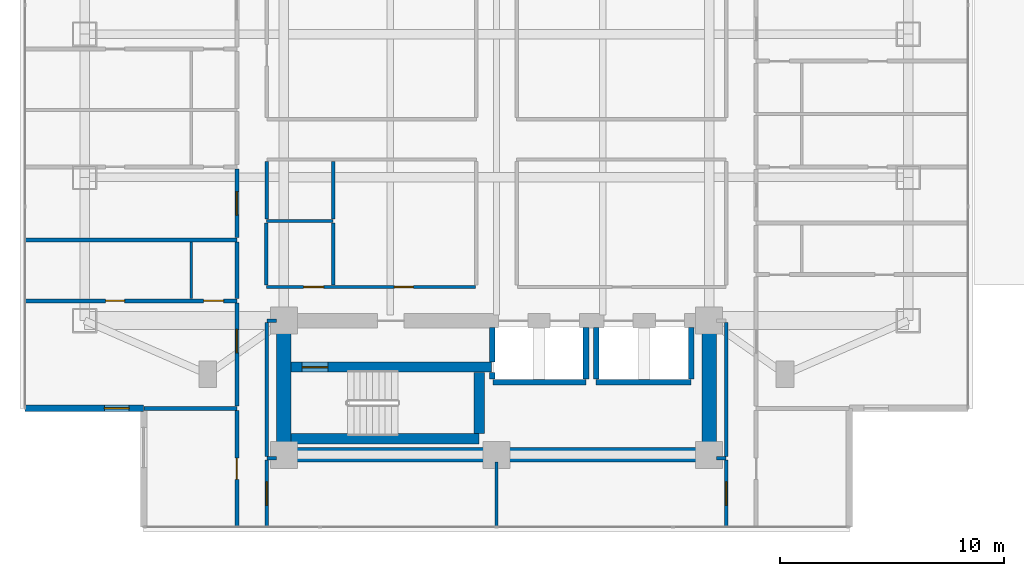
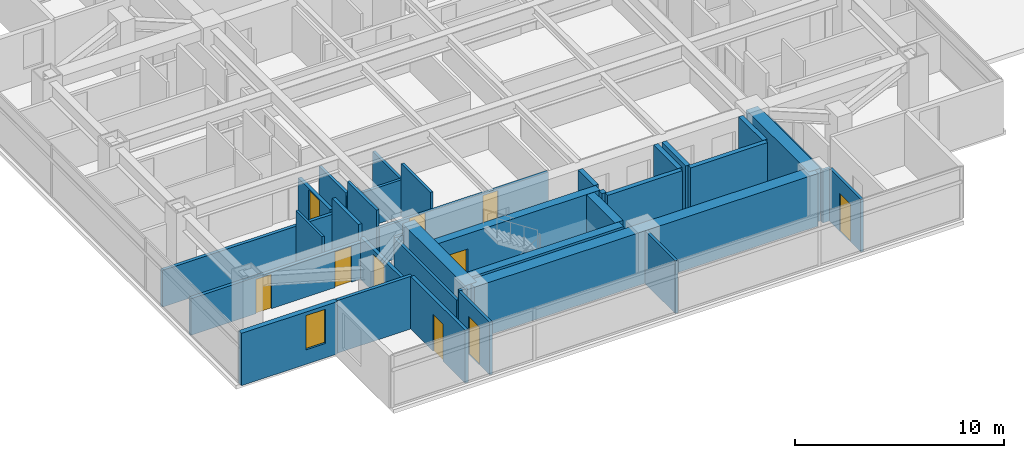
# One storey, part 13 of 26: 36 walls, 10 doors, 1 window, 11 openings.
"""IFC4 building model written with IfcOpenShell, lengths in metres."""

from ifc_helpers import new_model, si_unit, direction, frame, frame_2d, origin, place, context, subcontext, project, spatial, rectangle, extrude, material, layer, layer_set, type_object, element, fill, save


model = new_model("IFC4")

# Units and contexts
model_context = context("Model", 3, precision=1e-05, world=origin(), true_north=direction((0.0, 1.0)))
body_context = subcontext(model_context, "Body", "Model", "MODEL_VIEW")
ifc_project = project(units=[si_unit("LENGTHUNIT", "METRE"), si_unit("AREAUNIT", "SQUARE_METRE"), si_unit("VOLUMEUNIT", "CUBIC_METRE"), si_unit("PLANEANGLEUNIT", "RADIAN"), si_unit("MASSUNIT", "GRAM", prefix="KILO")], contexts=[model_context])

# Site, building, storey
site_placement = place(None, origin())
site = spatial("IfcSite", under=ifc_project, at=site_placement, CompositionType="ELEMENT")
building_placement = place(site_placement, origin())
building = spatial("IfcBuilding", under=site, at=building_placement, Name="Mirazonda Arch Towers", CompositionType="ELEMENT")
storey_placement = place(building_placement, frame((0.0, 0.0, 98.300048828125)))
storey = spatial("IfcBuildingStorey", under=building, at=storey_placement, Name="L27", CompositionType="ELEMENT", Elevation=98.300048828125)

# Wall
ifc_material_1 = material(Name="Concrete C50/60", Category="concrete")
ifc_layer_1 = layer(ifc_material_1, 0.449951171875, Name="WALL-CORE-450")
ifc_layer_set_1 = layer_set([ifc_layer_1], Name="Concrete C50/60")
wall_type_1 = type_object("IfcWallType", Name="WALL-CORE-450", PredefinedType="SHEAR", material=ifc_layer_set_1)
wall_1_placement = place(storey_placement, frame((11.320068359375, 13.1201171875, 0.0), z_axis=(0.0, 0.0, 1.0), x_axis=(1.0, 0.0, 0.0)))
element("IfcWall", 1, at=wall_1_placement, inside=storey, type_object=wall_type_1, Name="L27 Stair Core Shear Wall 003", PredefinedType="SHEAR", context=body_context, shape_type="SweptSolid", body=[
    extrude(rectangle(XDim=8.409912109375, YDim=0.449951171875, at=frame_2d((4.205078125, 0.0))), origin(), (0.0, 0.0, 1.0), 3.079833984375),
])

# Wall, opening, door
wall_2_placement = place(storey_placement, frame((11.320068359375, 16.320068359375, 0.0), z_axis=(0.0, 0.0, 1.0), x_axis=(1.0, 0.0, 0.0)))
wall_2 = element("IfcWall", 2, at=wall_2_placement, inside=storey, type_object=wall_type_1, Name="L27 Stair Core Shear Wall 008", PredefinedType="SHEAR", context=body_context, shape_type="SweptSolid", body=[
    extrude(rectangle(XDim=8.9599609375, YDim=0.449951171875, at=frame_2d((4.47998046875, 0.0))), origin(), (0.0, 0.0, 1.0), 3.079833984375),
])
opening_1_placement = place(wall_2_placement, frame((0.4951171875, 0.0, 0.0)))
opening_1 = element("IfcOpeningElement", 3, at=opening_1_placement, cuts=wall_2, Name="Opening DR-135", PredefinedType="OPENING", context=body_context, shape_type="SweptSolid", body=[
    extrude(rectangle(XDim=1.14990234375, YDim=2.199951171875, at=frame_2d((0.574951171875, 1.10009765625))), frame((0.0, 0.23486328125, 0.0), z_axis=(0.0, -1.0, 0.0), x_axis=(1.0, 0.0, 0.0)), (0.0, 0.0, 1.0), 0.469970703125),
])
ifc_material_2 = material(Name="Architectural Brushed Steel S355", Category="steel")
door_type_1 = type_object("IfcDoorType", Name="DOOR-STAIR-FD90-1150", OperationType="NOTDEFINED", PredefinedType="DOOR", material=ifc_material_2)
door_1_placement = place(opening_1_placement, origin())
door_1 = element("IfcDoor", 4, at=door_1_placement, inside=storey, type_object=door_type_1, Name="L27 Protected Exit Stair South Door", OperationType="SINGLE_SWING_RIGHT", OverallHeight=2.199951171875, OverallWidth=1.14990234375, PredefinedType="DOOR", context=body_context, shape_type="SweptSolid", body=[
    extrude(rectangle(XDim=1.14990234375, YDim=2.199951171875, at=frame_2d((0.574951171875, 1.10009765625))), frame((0.0, 0.02490234375, 0.0), z_axis=(0.0, -1.0, 0.0), x_axis=(1.0, 0.0, 0.0)), (0.0, 0.0, 1.0), 0.050048828125),
])
fill(opening_1, door_1)

# Walls
wall_3_placement = place(storey_placement, frame((19.72998046875, 13.35498046875, 0.0), z_axis=(0.0, 0.0, 1.0), x_axis=(0.0, 1.0, 0.0)))
element("IfcWall", 5, at=wall_3_placement, inside=storey, type_object=wall_type_1, Name="L27 Stair Core Shear Wall 095", PredefinedType="SHEAR", context=body_context, shape_type="SweptSolid", body=[
    extrude(rectangle(XDim=2.72998046875, YDim=0.449951171875, at=frame_2d((1.364990234375, 0.0))), origin(), (0.0, 0.0, 1.0), 3.079833984375),
])
ifc_material_3 = material(Name="Concrete C60/75", Category="concrete")
ifc_layer_2 = layer(ifc_material_3, 0.64990234375, Name="WALL-CORE-650")
ifc_layer_set_2 = layer_set([ifc_layer_2], Name="Concrete C60/75")
wall_type_2 = type_object("IfcWallType", Name="WALL-CORE-650", PredefinedType="SHEAR", material=ifc_layer_set_2)
wall_4_placement = place(storey_placement, frame((11.0, 12.39990234375, 0.0), z_axis=(0.0, 0.0, 1.0), x_axis=(1.0, 0.0, 0.0)))
element("IfcWall", 6, at=wall_4_placement, inside=storey, type_object=wall_type_2, Name="L27 T1S-S Core Shear Wall", PredefinedType="SHEAR", context=body_context, shape_type="SweptSolid", body=[
    extrude(rectangle(XDim=19.0, YDim=0.64990234375, at=frame_2d((9.5, 0.0))), origin(), (0.0, 0.0, 1.0), 3.079833984375),
])
for number, where, z_axis, x_axis, name in (
    (7, (11.0, 12.39990234375, 0.0), (0.0, 0.0, 1.0), (0.0, 1.0, 0.0), "L27 T1S-W Core Shear Wall"),
    (8, (30.0, 12.39990234375, 0.0), (0.0, 0.0, 1.0), (0.0, 1.0, 0.0), "L27 T1S-E Core Shear Wall"),
):
    element("IfcWall", number, at=place(storey_placement, frame(where, z_axis=z_axis, x_axis=x_axis)), inside=storey, type_object=wall_type_2, Name=name, PredefinedType="SHEAR", context=body_context, shape_type="SweptSolid", body=[
        extrude(rectangle(XDim=6.0, YDim=0.64990234375, at=frame_2d((3.0, 0.0))), origin(), (0.0, 0.0, 1.0), 3.079833984375),
    ])

# Wall, opening, window
ifc_material_4 = material(Name="Precast Concrete C40/50", Category="concrete")
ifc_layer_3 = layer(ifc_material_4, 0.280029296875, Name="WALL-EXT-WALL-280")
ifc_layer_set_3 = layer_set([ifc_layer_3], Name="Precast Concrete C40/50")
wall_type_3 = type_object("IfcWallType", Name="WALL-EXT-WALL-280", PredefinedType="SOLIDWALL", material=ifc_layer_set_3)
wall_5_placement = place(storey_placement, frame((-0.570068359375, 14.48095703125, 0.0), z_axis=(0.0, 0.0, 1.0), x_axis=(1.0, 0.0, 0.0)))
wall_5 = element("IfcWall", 9, at=wall_5_placement, inside=storey, type_object=wall_type_3, Name="L27 T1 Corner Notch Return Wall WL-L27-T1-CSW2", PredefinedType="SOLIDWALL", context=body_context, shape_type="SweptSolid", body=[
    extrude(rectangle(XDim=5.30517578125, YDim=0.280029296875, at=frame_2d((2.652587890625, 0.0))), origin(), (0.0, 0.0, 1.0), 3.06005859375),
])
opening_2_placement = place(wall_5_placement, frame((3.554931640625, 0.0, 0.85009765625)))
opening_2 = element("IfcOpeningElement", 10, at=opening_2_placement, cuts=wall_5, Name="Opening WN-108", PredefinedType="OPENING", context=body_context, shape_type="SweptSolid", body=[
    extrude(rectangle(XDim=1.10009765625, YDim=2.0, at=frame_2d((0.550048828125, 1.0))), frame((0.0, 0.14990234375, 0.0), z_axis=(0.0, -1.0, 0.0), x_axis=(1.0, 0.0, 0.0)), (0.0, 0.0, 1.0), 0.300048828125),
])
ifc_material_5 = material(Name="Insulated Low-E Solar Glass", Category="glass")
window_type = type_object("IfcWindowType", Name="WIN-NOTCH-1100x2000", PartitioningType="SINGLE_PANEL", PredefinedType="WINDOW", material=ifc_material_5)
window_placement = place(opening_2_placement, origin())
window = element("IfcWindow", 11, at=window_placement, inside=storey, type_object=window_type, Name="L27 Punched Facade Window WN-L27-T1-CSW2", OverallHeight=2.0, OverallWidth=1.10009765625, PartitioningType="SINGLE_PANEL", PredefinedType="WINDOW", context=body_context, shape_type="SweptSolid", body=[
    extrude(rectangle(XDim=1.10009765625, YDim=2.0, at=frame_2d((0.550048828125, 1.0))), frame((0.0, 0.030029296875, 0.0), z_axis=(0.0, -1.0, 0.0), x_axis=(1.0, 0.0, 0.0)), (0.0, 0.0, 1.0), 0.06005859375),
])
fill(opening_2, window)

# Walls
ifc_material_6 = material(Name="Fire-Rated Gypsum Stud Partition")
ifc_layer_4 = layer(ifc_material_6, 0.14990234375, Name="WALL-PART-CORR-150")
ifc_layer_set_4 = layer_set([ifc_layer_4], Name="Fire-Rated Gypsum Stud Partition")
wall_type_4 = type_object("IfcWallType", Name="WALL-PART-CORR-150", PredefinedType="PARTITIONING", material=ifc_layer_set_4)
for number, where, z_axis, x_axis, name in (
    (12, (10.239990234375, 12.25, 0.0), (0.0, 0.0, 1.0), (1.0, 0.0, 0.0), "L27 Interior Partition 001"),
    (13, (30.320068359375, 12.25, 0.0), (0.0, 0.0, 1.0), (1.0, 0.0, 0.0), "L27 Interior Partition 002"),
):
    element("IfcWall", number, at=place(storey_placement, frame(where, z_axis=z_axis, x_axis=x_axis)), inside=storey, type_object=wall_type_4, Name=name, PredefinedType="PARTITIONING", context=body_context, shape_type="SweptSolid", body=[
        extrude(rectangle(XDim=0.43994140625, YDim=0.14990234375, at=frame_2d((0.219970703125, 0.0))), origin(), (0.0, 0.0, 1.0), 3.079833984375),
    ])
wall_6_placement = place(storey_placement, frame((10.239990234375, 18.39990234375, 0.0), z_axis=(0.0, 0.0, 1.0), x_axis=(1.0, 0.0, 0.0)))
element("IfcWall", 14, at=wall_6_placement, inside=storey, type_object=wall_type_4, Name="L27 Interior Partition 012", PredefinedType="PARTITIONING", context=body_context, shape_type="SweptSolid", body=[
    extrude(rectangle(XDim=0.43994140625, YDim=0.14990234375, at=frame_2d((0.219970703125, 0.0))), origin(), (0.0, 0.0, 1.0), 2.4560546875),
])

# Wall, openings, doors
wall_7_placement = place(storey_placement, frame((10.219970703125, 19.89990234375, 0.0), z_axis=(0.0, 0.0, 1.0), x_axis=(1.0, 0.0, 0.0)))
wall_7 = element("IfcWall", 15, at=wall_7_placement, inside=storey, type_object=wall_type_4, Name="L27 Interior Partition 016", PredefinedType="PARTITIONING", context=body_context, shape_type="SweptSolid", body=[
    extrude(rectangle(XDim=9.340087890625, YDim=0.14990234375, at=frame_2d((4.669921875, 0.0))), origin(), (0.0, 0.0, 1.0), 2.1240234375),
])
opening_3_placement = place(wall_7_placement, frame((1.659912109375, 0.0, 0.0)))
opening_3 = element("IfcOpeningElement", 16, at=opening_3_placement, cuts=wall_7, Name="Opening DR-120", PredefinedType="OPENING", context=body_context, shape_type="SweptSolid", body=[
    extrude(rectangle(XDim=0.89990234375, YDim=2.10009765625, at=frame_2d((0.449951171875, 1.050048828125))), frame((0.0, 0.0849609375, 0.0), z_axis=(0.0, -1.0, 0.0), x_axis=(1.0, 0.0, 0.0)), (0.0, 0.0, 1.0), 0.169921875),
])
opening_4_placement = place(wall_7_placement, frame((5.715087890625, 0.0, 0.0)))
opening_4 = element("IfcOpeningElement", 17, at=opening_4_placement, cuts=wall_7, Name="Opening DR-128", PredefinedType="OPENING", context=body_context, shape_type="SweptSolid", body=[
    extrude(rectangle(XDim=0.85009765625, YDim=2.010009765625, at=frame_2d((0.425048828125, 1.0048828125))), frame((0.0, 0.0849609375, 0.0), z_axis=(0.0, -1.0, 0.0), x_axis=(1.0, 0.0, 0.0)), (0.0, 0.0, 1.0), 0.169921875),
])
door_type_2 = type_object("IfcDoorType", Name="DOOR-RISER-FD60-850", OperationType="NOTDEFINED", PredefinedType="DOOR", material=ifc_material_2)
door_2_placement = place(opening_4_placement, origin())
door_2 = element("IfcDoor", 18, at=door_2_placement, inside=storey, type_object=door_type_2, Name="L27 L27 West Courtyard Study Door", OperationType="SINGLE_SWING_RIGHT", OverallHeight=2.010009765625, OverallWidth=0.85009765625, PredefinedType="DOOR", context=body_context, shape_type="SweptSolid", body=[
    extrude(rectangle(XDim=0.85009765625, YDim=2.010009765625, at=frame_2d((0.425048828125, 1.0048828125))), frame((0.0, 0.02490234375, 0.0), z_axis=(0.0, -1.0, 0.0), x_axis=(1.0, 0.0, 0.0)), (0.0, 0.0, 1.0), 0.050048828125),
])
fill(opening_4, door_2)
door_type_3 = type_object("IfcDoorType", Name="DOOR-WC-900", OperationType="NOTDEFINED", PredefinedType="DOOR", material=ifc_material_2)
door_3_placement = place(opening_3_placement, origin())
door_3 = element("IfcDoor", 19, at=door_3_placement, inside=storey, type_object=door_type_3, Name="L27 Common Accessible WC Door", OperationType="SINGLE_SWING_LEFT", OverallHeight=2.10009765625, OverallWidth=0.89990234375, PredefinedType="DOOR", context=body_context, shape_type="SweptSolid", body=[
    extrude(rectangle(XDim=0.89990234375, YDim=2.10009765625, at=frame_2d((0.449951171875, 1.050048828125))), frame((0.0, 0.02490234375, 0.0), z_axis=(0.0, -1.0, 0.0), x_axis=(1.0, 0.0, 0.0)), (0.0, 0.0, 1.0), 0.050048828125),
])
fill(opening_3, door_3)

# Walls
wall_8_placement = place(storey_placement, frame((10.219970703125, 22.85009765625, 0.0), z_axis=(0.0, 0.0, 1.0), x_axis=(1.0, 0.0, 0.0)))
element("IfcWall", 20, at=wall_8_placement, inside=storey, type_object=wall_type_4, Name="L27 Interior Partition 026", PredefinedType="PARTITIONING", context=body_context, shape_type="SweptSolid", body=[
    extrude(rectangle(XDim=2.97998046875, YDim=0.14990234375, at=frame_2d((1.489990234375, 0.0))), origin(), (0.0, 0.0, 1.0), 2.1240234375),
])
wall_9_placement = place(storey_placement, frame((10.219970703125, 19.985107421875, 0.0), z_axis=(0.0, 0.0, 1.0), x_axis=(0.0, 1.0, 0.0)))
element("IfcWall", 21, at=wall_9_placement, inside=storey, type_object=wall_type_4, Name="L27 Interior Partition 081", PredefinedType="PARTITIONING", context=body_context, shape_type="SweptSolid", body=[
    extrude(rectangle(XDim=2.77978515625, YDim=0.14990234375, at=frame_2d((1.389892578125, 0.0))), origin(), (0.0, 0.0, 1.0), 3.079833984375),
])

# Wall, opening, door
wall_10_placement = place(storey_placement, frame((10.239990234375, 9.176025390625, 0.0), z_axis=(0.0, 0.0, 1.0), x_axis=(0.0, 1.0, 0.0)))
wall_10 = element("IfcWall", 22, at=wall_10_placement, inside=storey, type_object=wall_type_4, Name="L27 Interior Partition 082", PredefinedType="PARTITIONING", context=body_context, shape_type="SweptSolid", body=[
    extrude(rectangle(XDim=2.989013671875, YDim=0.14990234375, at=frame_2d((1.49462890625, 0.0))), origin(), (0.0, 0.0, 1.0), 3.079833984375),
])
opening_5_placement = place(wall_10_placement, frame((0.969482421875, 0.0, 0.0)))
opening_5 = element("IfcOpeningElement", 23, at=opening_5_placement, cuts=wall_10, Name="Opening DR-121", PredefinedType="OPENING", context=body_context, shape_type="SweptSolid", body=[
    extrude(rectangle(XDim=1.050048828125, YDim=2.199951171875, at=frame_2d((0.52490234375, 1.10009765625))), frame((0.0, 0.0849609375, 0.0), z_axis=(0.0, -1.0, 0.0), x_axis=(1.0, 0.0, 0.0)), (0.0, 0.0, 1.0), 0.169921875),
])
door_type_4 = type_object("IfcDoorType", Name="DOOR-SUITE-FD60-1050", OperationType="NOTDEFINED", PredefinedType="DOOR", material=ifc_material_2)
door_4_placement = place(opening_5_placement, origin())
door_4 = element("IfcDoor", 24, at=door_4_placement, inside=storey, type_object=door_type_4, Name="L27 South Horizon Lounge West Door", OperationType="SINGLE_SWING_RIGHT", OverallHeight=2.199951171875, OverallWidth=1.050048828125, PredefinedType="DOOR", context=body_context, shape_type="SweptSolid", body=[
    extrude(rectangle(XDim=1.050048828125, YDim=2.199951171875, at=frame_2d((0.52490234375, 1.10009765625))), frame((0.0, 0.02490234375, 0.0), z_axis=(0.0, -1.0, 0.0), x_axis=(1.0, 0.0, 0.0)), (0.0, 0.0, 1.0), 0.050048828125),
])
fill(opening_5, door_4)

# Walls
wall_11_placement = place(storey_placement, frame((10.239990234375, 12.3349609375, 0.0), z_axis=(0.0, 0.0, 1.0), x_axis=(0.0, 1.0, 0.0)))
element("IfcWall", 25, at=wall_11_placement, inside=storey, type_object=wall_type_4, Name="L27 Interior Partition 083", PredefinedType="PARTITIONING", context=body_context, shape_type="SweptSolid", body=[
    extrude(rectangle(XDim=5.97998046875, YDim=0.14990234375, at=frame_2d((2.989990234375, 0.0))), origin(), (0.0, 0.0, 1.0), 2.4560546875),
])
wall_12_placement = place(storey_placement, frame((10.239990234375, 22.93505859375, 0.0), z_axis=(0.0, 0.0, 1.0), x_axis=(0.0, 1.0, 0.0)))
element("IfcWall", 26, at=wall_12_placement, inside=storey, type_object=wall_type_4, Name="L27 Interior Partition 084", PredefinedType="PARTITIONING", context=body_context, shape_type="SweptSolid", body=[
    extrude(rectangle(XDim=2.579833984375, YDim=0.14990234375, at=frame_2d((1.2900390625, 0.0))), origin(), (0.0, 0.0, 1.0), 2.299072265625),
])
wall_13_placement = place(storey_placement, frame((13.199951171875, 19.985107421875, 0.0), z_axis=(0.0, 0.0, 1.0), x_axis=(0.0, 1.0, 0.0)))
element("IfcWall", 27, at=wall_13_placement, inside=storey, type_object=wall_type_4, Name="L27 Interior Partition 089", PredefinedType="PARTITIONING", context=body_context, shape_type="SweptSolid", body=[
    extrude(rectangle(XDim=2.77978515625, YDim=0.14990234375, at=frame_2d((1.389892578125, 0.0))), origin(), (0.0, 0.0, 1.0), 3.079833984375),
])
wall_14_placement = place(storey_placement, frame((13.199951171875, 22.93505859375, 0.0), z_axis=(0.0, 0.0, 1.0), x_axis=(0.0, 1.0, 0.0)))
element("IfcWall", 28, at=wall_14_placement, inside=storey, type_object=wall_type_4, Name="L27 Interior Partition 090", PredefinedType="PARTITIONING", context=body_context, shape_type="SweptSolid", body=[
    extrude(rectangle(XDim=2.579833984375, YDim=0.14990234375, at=frame_2d((1.2900390625, 0.0))), origin(), (0.0, 0.0, 1.0), 2.1240234375),
])
wall_15_placement = place(storey_placement, frame((20.5, 9.176025390625, 0.0), z_axis=(0.0, 0.0, 1.0), x_axis=(0.0, 1.0, 0.0)))
element("IfcWall", 29, at=wall_15_placement, inside=storey, type_object=wall_type_4, Name="L27 Interior Partition 100", PredefinedType="PARTITIONING", context=body_context, shape_type="SweptSolid", body=[
    extrude(rectangle(XDim=2.904052734375, YDim=0.14990234375, at=frame_2d((1.4521484375, 0.0))), origin(), (0.0, 0.0, 1.0), 3.079833984375),
])

# Wall, opening, door
wall_16_placement = place(storey_placement, frame((30.760009765625, 9.176025390625, 0.0), z_axis=(0.0, 0.0, 1.0), x_axis=(0.0, 1.0, 0.0)))
wall_16 = element("IfcWall", 30, at=wall_16_placement, inside=storey, type_object=wall_type_4, Name="L27 Interior Partition 114", PredefinedType="PARTITIONING", context=body_context, shape_type="SweptSolid", body=[
    extrude(rectangle(XDim=2.989013671875, YDim=0.14990234375, at=frame_2d((1.49462890625, 0.0))), origin(), (0.0, 0.0, 1.0), 3.079833984375),
])
opening_6_placement = place(wall_16_placement, frame((0.969482421875, 0.0, 0.0)))
opening_6 = element("IfcOpeningElement", 31, at=opening_6_placement, cuts=wall_16, Name="Opening DR-121", PredefinedType="OPENING", context=body_context, shape_type="SweptSolid", body=[
    extrude(rectangle(XDim=1.050048828125, YDim=2.199951171875, at=frame_2d((0.52490234375, 1.10009765625))), frame((0.0, 0.0849609375, 0.0), z_axis=(0.0, -1.0, 0.0), x_axis=(1.0, 0.0, 0.0)), (0.0, 0.0, 1.0), 0.169921875),
])
door_5_placement = place(opening_6_placement, origin())
door_5 = element("IfcDoor", 32, at=door_5_placement, inside=storey, type_object=door_type_4, Name="L27 South Horizon Lounge East Door", OperationType="SINGLE_SWING_LEFT", OverallHeight=2.199951171875, OverallWidth=1.050048828125, PredefinedType="DOOR", context=body_context, shape_type="SweptSolid", body=[
    extrude(rectangle(XDim=1.050048828125, YDim=2.199951171875, at=frame_2d((0.52490234375, 1.10009765625))), frame((0.0, 0.02490234375, 0.0), z_axis=(0.0, -1.0, 0.0), x_axis=(1.0, 0.0, 0.0)), (0.0, 0.0, 1.0), 0.050048828125),
])
fill(opening_6, door_5)

# Walls
wall_17_placement = place(storey_placement, frame((30.760009765625, 12.3349609375, 0.0), z_axis=(0.0, 0.0, 1.0), x_axis=(0.0, 1.0, 0.0)))
element("IfcWall", 33, at=wall_17_placement, inside=storey, type_object=wall_type_4, Name="L27 Interior Partition 115", PredefinedType="PARTITIONING", context=body_context, shape_type="SweptSolid", body=[
    extrude(rectangle(XDim=5.97998046875, YDim=0.14990234375, at=frame_2d((2.989990234375, 0.0))), origin(), (0.0, 0.0, 1.0), 2.4560546875),
])
ifc_material_7 = material(Name="Fire-Rated Gypsum Twin-Stud Assembly")
ifc_layer_5 = layer(ifc_material_7, 0.179931640625, Name="WALL-PART-DEMISE-180")
ifc_layer_set_5 = layer_set([ifc_layer_5], Name="Fire-Rated Gypsum Twin-Stud Assembly")
wall_type_5 = type_object("IfcWallType", Name="WALL-PART-DEMISE-180", PredefinedType="PARTITIONING", material=ifc_layer_set_5)
wall_18_placement = place(storey_placement, frame((4.7548828125, 14.48095703125, 0.0), z_axis=(0.0, 0.0, 1.0), x_axis=(1.0, 0.0, 0.0)))
element("IfcWall", 34, at=wall_18_placement, inside=storey, type_object=wall_type_5, Name="L27 Interior Partition 004", PredefinedType="PARTITIONING", context=body_context, shape_type="SweptSolid", body=[
    extrude(rectangle(XDim=4.14501953125, YDim=0.179931640625, at=frame_2d((2.072509765625, 0.0))), origin(), (0.0, 0.0, 1.0), 3.079833984375),
])

# Wall, openings, doors
wall_19_placement = place(storey_placement, frame((-0.570068359375, 19.283935546875, 0.0), z_axis=(0.0, 0.0, 1.0), x_axis=(1.0, 0.0, 0.0)))
wall_19 = element("IfcWall", 35, at=wall_19_placement, inside=storey, type_object=wall_type_5, Name="L27 Interior Partition 015", PredefinedType="PARTITIONING", context=body_context, shape_type="SweptSolid", body=[
    extrude(rectangle(XDim=9.469970703125, YDim=0.179931640625, at=frame_2d((4.73486328125, 0.0))), origin(), (0.0, 0.0, 1.0), 2.14501953125),
])
opening_7_placement = place(wall_19_placement, frame((3.610107421875, 0.0, 0.0)))
opening_7 = element("IfcOpeningElement", 36, at=opening_7_placement, cuts=wall_19, Name="Opening DR-128", PredefinedType="OPENING", context=body_context, shape_type="SweptSolid", body=[
    extrude(rectangle(XDim=0.85009765625, YDim=2.010009765625, at=frame_2d((0.425048828125, 1.0048828125))), frame((0.0, 0.099853515625, 0.0), z_axis=(0.0, -1.0, 0.0), x_axis=(1.0, 0.0, 0.0)), (0.0, 0.0, 1.0), 0.199951171875),
])
opening_8_placement = place(wall_19_placement, frame((7.97998046875, 0.0, 0.0)))
opening_8 = element("IfcOpeningElement", 37, at=opening_8_placement, cuts=wall_19, Name="Opening DR-120", PredefinedType="OPENING", context=body_context, shape_type="SweptSolid", body=[
    extrude(rectangle(XDim=0.89990234375, YDim=2.10009765625, at=frame_2d((0.449951171875, 1.050048828125))), frame((0.0, 0.099853515625, 0.0), z_axis=(0.0, -1.0, 0.0), x_axis=(1.0, 0.0, 0.0)), (0.0, 0.0, 1.0), 0.199951171875),
])
door_6_placement = place(opening_7_placement, origin())
door_6 = element("IfcDoor", 38, at=door_6_placement, inside=storey, type_object=door_type_2, Name="L27 Suite Bedroom 1 Door", OperationType="SINGLE_SWING_LEFT", OverallHeight=2.010009765625, OverallWidth=0.85009765625, PredefinedType="DOOR", context=body_context, shape_type="SweptSolid", body=[
    extrude(rectangle(XDim=0.85009765625, YDim=2.010009765625, at=frame_2d((0.425048828125, 1.0048828125))), frame((0.0, 0.02490234375, 0.0), z_axis=(0.0, -1.0, 0.0), x_axis=(1.0, 0.0, 0.0)), (0.0, 0.0, 1.0), 0.050048828125),
])
fill(opening_7, door_6)
door_7_placement = place(opening_8_placement, origin())
door_7 = element("IfcDoor", 39, at=door_7_placement, inside=storey, type_object=door_type_3, Name="L27 Suite En-Suite Bathroom 1 Door", OperationType="SINGLE_SWING_RIGHT", OverallHeight=2.10009765625, OverallWidth=0.89990234375, PredefinedType="DOOR", context=body_context, shape_type="SweptSolid", body=[
    extrude(rectangle(XDim=0.89990234375, YDim=2.10009765625, at=frame_2d((0.449951171875, 1.050048828125))), frame((0.0, 0.02490234375, 0.0), z_axis=(0.0, -1.0, 0.0), x_axis=(1.0, 0.0, 0.0)), (0.0, 0.0, 1.0), 0.050048828125),
])
fill(opening_8, door_7)

# Wall
wall_20_placement = place(storey_placement, frame((-0.570068359375, 22.00390625, 0.0), z_axis=(0.0, 0.0, 1.0), x_axis=(1.0, 0.0, 0.0)))
element("IfcWall", 40, at=wall_20_placement, inside=storey, type_object=wall_type_5, Name="L27 Interior Partition 023", PredefinedType="PARTITIONING", context=body_context, shape_type="SweptSolid", body=[
    extrude(rectangle(XDim=9.469970703125, YDim=0.179931640625, at=frame_2d((4.73486328125, 0.0))), origin(), (0.0, 0.0, 1.0), 2.14501953125),
])

# Wall, opening, door
wall_21_placement = place(storey_placement, frame((8.89990234375, 9.176025390625, 0.0), z_axis=(0.0, 0.0, 1.0), x_axis=(0.0, 1.0, 0.0)))
wall_21 = element("IfcWall", 41, at=wall_21_placement, inside=storey, type_object=wall_type_5, Name="L27 Interior Partition 071", PredefinedType="PARTITIONING", context=body_context, shape_type="SweptSolid", body=[
    extrude(rectangle(XDim=5.205078125, YDim=0.179931640625, at=frame_2d((2.6025390625, 0.0))), origin(), (0.0, 0.0, 1.0), 3.079833984375),
])
opening_9_placement = place(wall_21_placement, frame((2.12744140625, 0.0, 0.0)))
opening_9 = element("IfcOpeningElement", 42, at=opening_9_placement, cuts=wall_21, Name="Opening DR-104", PredefinedType="OPENING", context=body_context, shape_type="SweptSolid", body=[
    extrude(rectangle(XDim=0.949951171875, YDim=2.14990234375, at=frame_2d((0.47509765625, 1.074951171875))), frame((0.0, 0.099853515625, 0.0), z_axis=(0.0, -1.0, 0.0), x_axis=(1.0, 0.0, 0.0)), (0.0, 0.0, 1.0), 0.199951171875),
])
door_type_5 = type_object("IfcDoorType", Name="DOOR-ROOM-950", OperationType="NOTDEFINED", PredefinedType="DOOR", material=ifc_material_2)
door_8_placement = place(opening_9_placement, origin())
door_8 = element("IfcDoor", 43, at=door_8_placement, inside=storey, type_object=door_type_5, Name="L27 South Horizon Lounge Alcove West Door", OperationType="SINGLE_SWING_RIGHT", OverallHeight=2.14990234375, OverallWidth=0.949951171875, PredefinedType="DOOR", context=body_context, shape_type="SweptSolid", body=[
    extrude(rectangle(XDim=0.949951171875, YDim=2.14990234375, at=frame_2d((0.47509765625, 1.074951171875))), frame((0.0, 0.02490234375, 0.0), z_axis=(0.0, -1.0, 0.0), x_axis=(1.0, 0.0, 0.0)), (0.0, 0.0, 1.0), 0.050048828125),
])
fill(opening_9, door_8)

wall_22_placement = place(storey_placement, frame((8.89990234375, 14.5810546875, 0.0), z_axis=(0.0, 0.0, 1.0), x_axis=(0.0, 1.0, 0.0)))
wall_22 = element("IfcWall", 44, at=wall_22_placement, inside=storey, type_object=wall_type_5, Name="L27 Interior Partition 072", PredefinedType="PARTITIONING", context=body_context, shape_type="SweptSolid", body=[
    extrude(rectangle(XDim=4.60302734375, YDim=0.179931640625, at=frame_2d((2.301513671875, 0.0))), origin(), (0.0, 0.0, 1.0), 2.4560546875),
])
opening_10_placement = place(wall_22_placement, frame((2.37646484375, 0.0, 0.0)))
opening_10 = element("IfcOpeningElement", 45, at=opening_10_placement, cuts=wall_22, Name="Opening DR-121", PredefinedType="OPENING", context=body_context, shape_type="SweptSolid", body=[
    extrude(rectangle(XDim=1.050048828125, YDim=2.199951171875, at=frame_2d((0.52490234375, 1.10009765625))), frame((0.0, 0.099853515625, 0.0), z_axis=(0.0, -1.0, 0.0), x_axis=(1.0, 0.0, 0.0)), (0.0, 0.0, 1.0), 0.199951171875),
])
door_9_placement = place(opening_10_placement, origin())
door_9 = element("IfcDoor", 46, at=door_9_placement, inside=storey, type_object=door_type_4, Name="L27 Panoramic Suite Salon 1 Door", OperationType="SINGLE_SWING_RIGHT", OverallHeight=2.199951171875, OverallWidth=1.050048828125, PredefinedType="DOOR", context=body_context, shape_type="SweptSolid", body=[
    extrude(rectangle(XDim=1.050048828125, YDim=2.199951171875, at=frame_2d((0.52490234375, 1.10009765625))), frame((0.0, 0.02490234375, 0.0), z_axis=(0.0, -1.0, 0.0), x_axis=(1.0, 0.0, 0.0)), (0.0, 0.0, 1.0), 0.050048828125),
])
fill(opening_10, door_9)

# Wall
wall_23_placement = place(storey_placement, frame((8.89990234375, 19.384033203125, 0.0), z_axis=(0.0, 0.0, 1.0), x_axis=(0.0, 1.0, 0.0)))
element("IfcWall", 47, at=wall_23_placement, inside=storey, type_object=wall_type_5, Name="L27 Interior Partition 073", PredefinedType="PARTITIONING", context=body_context, shape_type="SweptSolid", body=[
    extrude(rectangle(XDim=2.52001953125, YDim=0.179931640625, at=frame_2d((1.260009765625, 0.0))), origin(), (0.0, 0.0, 1.0), 3.079833984375),
])

# Wall, opening, door
wall_24_placement = place(storey_placement, frame((8.89990234375, 22.10400390625, 0.0), z_axis=(0.0, 0.0, 1.0), x_axis=(0.0, 1.0, 0.0)))
wall_24 = element("IfcWall", 48, at=wall_24_placement, inside=storey, type_object=wall_type_5, Name="L27 Interior Partition 074", PredefinedType="PARTITIONING", context=body_context, shape_type="SweptSolid", body=[
    extrude(rectangle(XDim=3.068115234375, YDim=0.179931640625, at=frame_2d((1.5341796875, 0.0))), origin(), (0.0, 0.0, 1.0), 2.299072265625),
])
opening_11_placement = place(wall_24_placement, frame((1.009033203125, 0.0, 0.0)))
opening_11 = element("IfcOpeningElement", 49, at=opening_11_placement, cuts=wall_24, Name="Opening DR-121", PredefinedType="OPENING", context=body_context, shape_type="SweptSolid", body=[
    extrude(rectangle(XDim=1.050048828125, YDim=2.199951171875, at=frame_2d((0.52490234375, 1.10009765625))), frame((0.0, 0.099853515625, 0.0), z_axis=(0.0, -1.0, 0.0), x_axis=(1.0, 0.0, 0.0)), (0.0, 0.0, 1.0), 0.199951171875),
])
door_10_placement = place(opening_11_placement, origin())
door_10 = element("IfcDoor", 50, at=door_10_placement, inside=storey, type_object=door_type_4, Name="L27 Deluxe Suite Living Room 2 Door", OperationType="SINGLE_SWING_LEFT", OverallHeight=2.199951171875, OverallWidth=1.050048828125, PredefinedType="DOOR", context=body_context, shape_type="SweptSolid", body=[
    extrude(rectangle(XDim=1.050048828125, YDim=2.199951171875, at=frame_2d((0.52490234375, 1.10009765625))), frame((0.0, 0.02490234375, 0.0), z_axis=(0.0, -1.0, 0.0), x_axis=(1.0, 0.0, 0.0)), (0.0, 0.0, 1.0), 0.050048828125),
])
fill(opening_11, door_10)

# Walls
ifc_material_8 = material(Name="Acoustic Fire-Rated Gypsum Partition")
ifc_layer_6 = layer(ifc_material_8, 0.125, Name="WALL-PART-UNIT-125")
ifc_layer_set_6 = layer_set([ifc_layer_6], Name="Acoustic Fire-Rated Gypsum Partition")
wall_type_6 = type_object("IfcWallType", Name="WALL-PART-UNIT-125", PredefinedType="PARTITIONING", material=ifc_layer_set_6)
wall_25_placement = place(storey_placement, frame((6.860107421875, 19.384033203125, 0.0), z_axis=(0.0, 0.0, 1.0), x_axis=(0.0, 1.0, 0.0)))
element("IfcWall", 51, at=wall_25_placement, inside=storey, type_object=wall_type_6, Name="L27 Interior Partition 067", PredefinedType="PARTITIONING", context=body_context, shape_type="SweptSolid", body=[
    extrude(rectangle(XDim=2.52001953125, YDim=0.125, at=frame_2d((1.260009765625, 0.0))), origin(), (0.0, 0.0, 1.0), 3.079833984375),
])
ifc_material_9 = material(Name="Concrete C40/50", Category="concrete")
ifc_layer_7 = layer(ifc_material_9, 0.25, Name="WALL-SHAFT-250")
ifc_layer_set_7 = layer_set([ifc_layer_7], Name="Concrete C40/50")
wall_type_7 = type_object("IfcWallType", Name="WALL-SHAFT-250", PredefinedType="SOLIDWALL", material=ifc_layer_set_7)
wall_26_placement = place(storey_placement, frame((20.35009765625, 15.64990234375, 0.0), z_axis=(0.0, 0.0, 1.0), x_axis=(1.0, 0.0, 0.0)))
element("IfcWall", 52, at=wall_26_placement, inside=storey, type_object=wall_type_7, Name="L27 Interior Partition 006", PredefinedType="SOLIDWALL", context=body_context, shape_type="SweptSolid", body=[
    extrude(rectangle(XDim=4.14990234375, YDim=0.25, at=frame_2d((2.074951171875, 0.0))), origin(), (0.0, 0.0, 1.0), 3.079833984375),
])
wall_27_placement = place(storey_placement, frame((24.949951171875, 15.64990234375, 0.0), z_axis=(0.0, 0.0, 1.0), x_axis=(1.0, 0.0, 0.0)))
element("IfcWall", 53, at=wall_27_placement, inside=storey, type_object=wall_type_7, Name="L27 Interior Partition 007", PredefinedType="SOLIDWALL", context=body_context, shape_type="SweptSolid", body=[
    extrude(rectangle(XDim=4.25, YDim=0.25, at=frame_2d((2.125, 0.0))), origin(), (0.0, 0.0, 1.0), 3.079833984375),
])
wall_28_placement = place(storey_placement, frame((20.31494140625, 15.784912109375, 0.0), z_axis=(0.0, 0.0, 1.0), x_axis=(0.0, 1.0, 0.0)))
element("IfcWall", 54, at=wall_28_placement, inside=storey, type_object=wall_type_7, Name="L27 Interior Partition 097", PredefinedType="SOLIDWALL", context=body_context, shape_type="SweptSolid", body=[
    extrude(rectangle(XDim=0.300048828125, YDim=0.25, at=frame_2d((0.14990234375, 0.0))), origin(), (0.0, 0.0, 1.0), 3.079833984375),
])
wall_29_placement = place(storey_placement, frame((20.31494140625, 16.554931640625, 0.0), z_axis=(0.0, 0.0, 1.0), x_axis=(0.0, 1.0, 0.0)))
element("IfcWall", 55, at=wall_29_placement, inside=storey, type_object=wall_type_7, Name="L27 Interior Partition 098", PredefinedType="SOLIDWALL", context=body_context, shape_type="SweptSolid", body=[
    extrude(rectangle(XDim=1.525146484375, YDim=0.25, at=frame_2d((0.7626953125, 0.0))), origin(), (0.0, 0.0, 1.0), 3.079833984375),
])
for number, where, z_axis, x_axis, name in (
    (56, (24.5, 15.784912109375, 0.0), (0.0, 0.0, 1.0), (0.0, 1.0, 0.0), "L27 Interior Partition 104"),
    (57, (24.949951171875, 15.784912109375, 0.0), (0.0, 0.0, 1.0), (0.0, 1.0, 0.0), "L27 Interior Partition 106"),
    (58, (29.199951171875, 15.784912109375, 0.0), (0.0, 0.0, 1.0), (0.0, 1.0, 0.0), "L27 Interior Partition 111"),
):
    element("IfcWall", number, at=place(storey_placement, frame(where, z_axis=z_axis, x_axis=x_axis)), inside=storey, type_object=wall_type_7, Name=name, PredefinedType="SOLIDWALL", context=body_context, shape_type="SweptSolid", body=[
        extrude(rectangle(XDim=2.295166015625, YDim=0.25, at=frame_2d((1.1474609375, 0.0))), origin(), (0.0, 0.0, 1.0), 3.079833984375),
    ])

save(model, "model.ifc")
